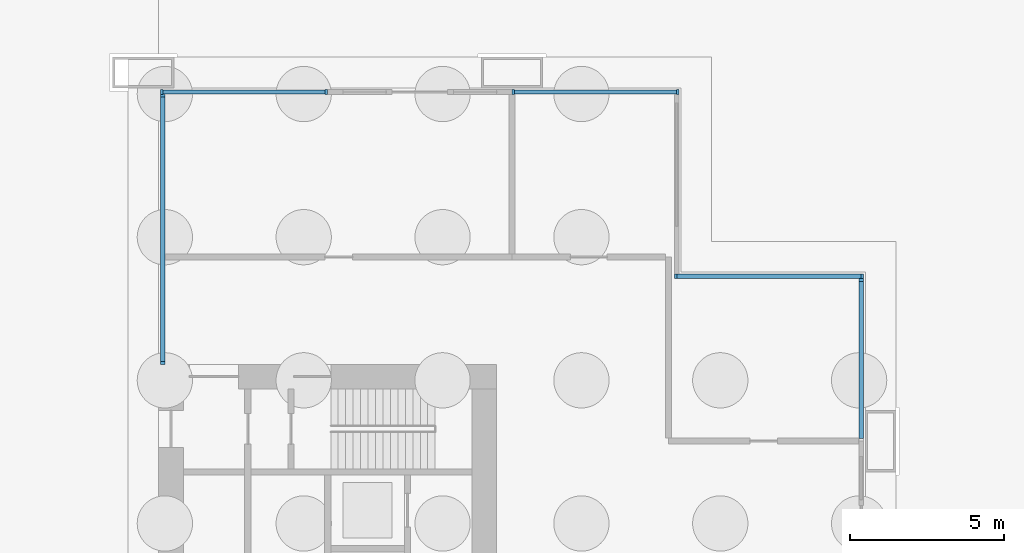
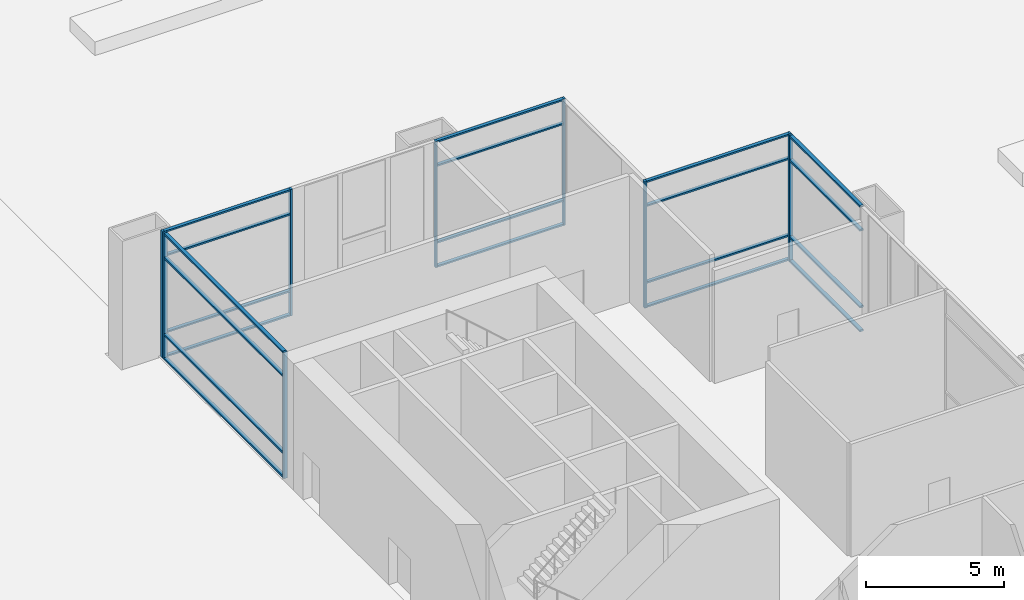
# One storey, part 14 of 29: 29 members, 5 elements without a shape of their own.
"""IFC4 building model written with IfcOpenShell, lengths in metres."""

from ifc_helpers import new_model, si_unit, direction, frame, origin, origin_2d, place, context, subcontext, project, spatial, rectangle, extrude, material, material_profile, profile_set, type_object, element, aggregate, save


model = new_model("IFC4")

# Units and contexts
model_context = context("Model", 3, precision=1e-05, world=origin(), true_north=direction((0.0, 1.0)))
body_context = subcontext(model_context, "Body", "Model", "MODEL_VIEW")
ifc_project = project(units=[si_unit("LENGTHUNIT", "METRE"), si_unit("AREAUNIT", "SQUARE_METRE"), si_unit("VOLUMEUNIT", "CUBIC_METRE"), si_unit("PLANEANGLEUNIT", "RADIAN"), si_unit("MASSUNIT", "GRAM", prefix="KILO")], contexts=[model_context])

# Site, building, storey
site_placement = place(None, origin())
site = spatial("IfcSite", under=ifc_project, at=site_placement, CompositionType="ELEMENT")
building_placement = place(site_placement, origin())
building = spatial("IfcBuilding", under=site, at=building_placement, Name="Kitamizu Gate Tower and Museum", CompositionType="ELEMENT")
storey_placement = place(building_placement, origin())
storey = spatial("IfcBuildingStorey", under=building, at=storey_placement, Name="L00", CompositionType="ELEMENT", Elevation=0.0)

# Curtain wall, members
ifc_material_1 = material(Name="Bronze anodised aluminium frame, tinted triple glazing", Category="aluminium")
curtain_wall_type_1 = type_object("IfcCurtainWallType", Name="CURTAIN WALL TYPE E PODIUM PLAZA", PredefinedType="NOTDEFINED", material=ifc_material_1)
curtain_wall_1_placement = place(storey_placement, origin())
curtain_wall_1 = element("IfcCurtainWall", 1, at=curtain_wall_1_placement, inside=storey, type_object=curtain_wall_type_1, Name="Curtain wall CW-E north L00", PredefinedType="NOTDEFINED")
ifc_material_2 = material(Name="Bronze anodised aluminium", Category="aluminium")
ifc_material_profile_1 = material_profile(ifc_material_2, rectangle(XDim=0.080078125, YDim=0.14990234375, at=origin_2d()), Name="AL 80X150")
ifc_profile_set_1 = profile_set([ifc_material_profile_1], Name="Bronze anodised aluminium")
member_type_1 = type_object("IfcMemberType", Name="MULLION 80 X 150 TYPE E", PredefinedType="MULLION", material=ifc_profile_set_1)
member_1_placement = place(storey_placement, frame((65.330078125, 41.364990234375, 0.0), z_axis=(0.0, 0.0, 1.0), x_axis=(1.0, 0.0, 0.0)))
member_1 = element("IfcMember", 2, at=member_1_placement, type_object=member_type_1, Name="CW-E mullion 1", PredefinedType="MULLION", context=body_context, shape_type="SweptSolid", body=[
    extrude(rectangle(XDim=0.080078125, YDim=0.14990234375, at=origin_2d()), origin(), (0.0, 0.0, 1.0), 5.60009765625),
])
member_2_placement = place(storey_placement, frame((71.39990234375, 41.364990234375, 0.0), z_axis=(0.0, 0.0, 1.0), x_axis=(1.0, 0.0, 0.0)))
member_2 = element("IfcMember", 3, at=member_2_placement, type_object=member_type_1, Name="CW-E mullion 2", PredefinedType="MULLION", context=body_context, shape_type="SweptSolid", body=[
    extrude(rectangle(XDim=0.080078125, YDim=0.14990234375, at=origin_2d()), origin(), (0.0, 0.0, 1.0), 5.60009765625),
])

curtain_wall_2_placement = place(storey_placement, origin())
curtain_wall_2 = element("IfcCurtainWall", 4, at=curtain_wall_2_placement, inside=storey, type_object=curtain_wall_type_1, Name="Curtain wall CW-E north L00", PredefinedType="NOTDEFINED")
member_3_placement = place(storey_placement, frame((48.60009765625, 47.364990234375, 0.0), z_axis=(0.0, 0.0, 1.0), x_axis=(1.0, 0.0, 0.0)))
member_3 = element("IfcMember", 5, at=member_3_placement, type_object=member_type_1, Name="CW-E mullion 1", PredefinedType="MULLION", context=body_context, shape_type="SweptSolid", body=[
    extrude(rectangle(XDim=0.080078125, YDim=0.14990234375, at=origin_2d()), origin(), (0.0, 0.0, 1.0), 5.60009765625),
])
member_4_placement = place(storey_placement, frame((53.9599609375, 47.364990234375, 0.0), z_axis=(0.0, 0.0, 1.0), x_axis=(1.0, 0.0, 0.0)))
member_4 = element("IfcMember", 6, at=member_4_placement, type_object=member_type_1, Name="CW-E mullion 2", PredefinedType="MULLION", context=body_context, shape_type="SweptSolid", body=[
    extrude(rectangle(XDim=0.080078125, YDim=0.14990234375, at=origin_2d()), origin(), (0.0, 0.0, 1.0), 5.60009765625),
])

curtain_wall_3_placement = place(storey_placement, origin())
curtain_wall_3 = element("IfcCurtainWall", 7, at=curtain_wall_3_placement, inside=storey, type_object=curtain_wall_type_1, Name="Curtain wall CW-E north L00", PredefinedType="NOTDEFINED")
member_5_placement = place(storey_placement, frame((60.0400390625, 47.364990234375, 0.0), z_axis=(0.0, 0.0, 1.0), x_axis=(1.0, 0.0, 0.0)))
member_5 = element("IfcMember", 8, at=member_5_placement, type_object=member_type_1, Name="CW-E mullion 1", PredefinedType="MULLION", context=body_context, shape_type="SweptSolid", body=[
    extrude(rectangle(XDim=0.080078125, YDim=0.14990234375, at=origin_2d()), origin(), (0.0, 0.0, 1.0), 5.60009765625),
])
member_6_placement = place(storey_placement, frame((65.39990234375, 47.364990234375, 0.0), z_axis=(0.0, 0.0, 1.0), x_axis=(1.0, 0.0, 0.0)))
member_6 = element("IfcMember", 9, at=member_6_placement, type_object=member_type_1, Name="CW-E mullion 2", PredefinedType="MULLION", context=body_context, shape_type="SweptSolid", body=[
    extrude(rectangle(XDim=0.080078125, YDim=0.14990234375, at=origin_2d()), origin(), (0.0, 0.0, 1.0), 5.60009765625),
])

ifc_material_3 = material(Name="Bronze anodised aluminium frame, tinted triple glazing", Category="aluminium")
curtain_wall_type_2 = type_object("IfcCurtainWallType", Name="CURTAIN WALL TYPE A PODIUM", PredefinedType="NOTDEFINED", material=ifc_material_3)
curtain_wall_4_placement = place(storey_placement, origin())
curtain_wall_4 = element("IfcCurtainWall", 10, at=curtain_wall_4_placement, inside=storey, type_object=curtain_wall_type_2, Name="Curtain wall CW-A west L00", PredefinedType="NOTDEFINED")
ifc_material_4 = material(Name="Bronze anodised aluminium", Category="aluminium")
ifc_material_profile_2 = material_profile(ifc_material_4, rectangle(XDim=0.090087890625, YDim=0.14990234375, at=origin_2d()), Name="AL 90X150")
ifc_profile_set_2 = profile_set([ifc_material_profile_2], Name="Bronze anodised aluminium")
member_type_2 = type_object("IfcMemberType", Name="MULLION 90 X 150 TYPE A", PredefinedType="MULLION", material=ifc_profile_set_2)
member_7_placement = place(storey_placement, frame((48.635009765625, 38.544921875, 0.0), z_axis=(0.0, 0.0, 1.0), x_axis=(0.0, 1.0, 0.0)))
member_7 = element("IfcMember", 11, at=member_7_placement, type_object=member_type_2, Name="CW-A mullion 1", PredefinedType="MULLION", context=body_context, shape_type="SweptSolid", body=[
    extrude(rectangle(XDim=0.090087890625, YDim=0.14990234375, at=origin_2d()), origin(), (0.0, 0.0, 1.0), 5.60009765625),
])
member_8_placement = place(storey_placement, frame((48.635009765625, 47.2451171875, 0.0), z_axis=(0.0, 0.0, 1.0), x_axis=(0.0, 1.0, 0.0)))
member_8 = element("IfcMember", 12, at=member_8_placement, type_object=member_type_2, Name="CW-A mullion 2", PredefinedType="MULLION", context=body_context, shape_type="SweptSolid", body=[
    extrude(rectangle(XDim=0.090087890625, YDim=0.14990234375, at=origin_2d()), origin(), (0.0, 0.0, 1.0), 5.60009765625),
])

# Curtain wall, member
curtain_wall_5_placement = place(storey_placement, origin())
curtain_wall_5 = element("IfcCurtainWall", 13, at=curtain_wall_5_placement, inside=storey, type_object=curtain_wall_type_2, Name="Curtain wall CW-A east L00", PredefinedType="NOTDEFINED")
member_9_placement = place(storey_placement, frame((71.364990234375, 41.2451171875, 0.0), z_axis=(0.0, 0.0, 1.0), x_axis=(0.0, 1.0, 0.0)))
member_9 = element("IfcMember", 14, at=member_9_placement, type_object=member_type_2, Name="CW-A mullion 2", PredefinedType="MULLION", context=body_context, shape_type="SweptSolid", body=[
    extrude(rectangle(XDim=0.090087890625, YDim=0.14990234375, at=origin_2d()), origin(), (0.0, 0.0, 1.0), 5.60009765625),
])

# Member
ifc_material_5 = material(Name="Bronze anodised aluminium", Category="aluminium")
ifc_material_profile_3 = material_profile(ifc_material_5, rectangle(XDim=0.139892578125, YDim=0.070068359375, at=origin_2d()), Name="AL 70X140")
ifc_profile_set_3 = profile_set([ifc_material_profile_3], Name="Bronze anodised aluminium")
member_type_3 = type_object("IfcMemberType", Name="TRANSOM 70 X 140 TYPE E", PredefinedType="USERDEFINED", material=ifc_profile_set_3)
member_10_placement = place(storey_placement, frame((65.3701171875, 41.364990234375, 0.034912109375), z_axis=(1.0, 0.0, 0.0), x_axis=(0.0, 1.0, 0.0)))
member_10 = element("IfcMember", 15, at=member_10_placement, type_object=member_type_3, Name="CW-E transom 1.1", ObjectType="TRANSOM", PredefinedType="USERDEFINED", context=body_context, shape_type="SweptSolid", body=[
    extrude(rectangle(XDim=0.139892578125, YDim=0.070068359375, at=origin_2d()), origin(), (0.0, 0.0, 1.0), 5.989990234375),
])

member_11_placement = place(storey_placement, frame((65.3701171875, 41.364990234375, 1.10009765625), z_axis=(1.0, 0.0, 0.0), x_axis=(0.0, 1.0, 0.0)))
member_11 = element("IfcMember", 16, at=member_11_placement, type_object=member_type_3, Name="CW-E transom 1.2", ObjectType="TRANSOM", PredefinedType="USERDEFINED", context=body_context, shape_type="SweptSolid", body=[
    extrude(rectangle(XDim=0.139892578125, YDim=0.070068359375, at=origin_2d()), origin(), (0.0, 0.0, 1.0), 5.989990234375),
])

member_12_placement = place(storey_placement, frame((65.3701171875, 41.364990234375, 4.5), z_axis=(1.0, 0.0, 0.0), x_axis=(0.0, 1.0, 0.0)))
member_12 = element("IfcMember", 17, at=member_12_placement, type_object=member_type_3, Name="CW-E transom 1.3", ObjectType="TRANSOM", PredefinedType="USERDEFINED", context=body_context, shape_type="SweptSolid", body=[
    extrude(rectangle(XDim=0.139892578125, YDim=0.070068359375, at=origin_2d()), origin(), (0.0, 0.0, 1.0), 5.989990234375),
])

member_13_placement = place(storey_placement, frame((65.3701171875, 41.364990234375, 5.56494140625), z_axis=(1.0, 0.0, 0.0), x_axis=(0.0, 1.0, 0.0)))
member_13 = element("IfcMember", 18, at=member_13_placement, type_object=member_type_3, Name="CW-E transom 1.4", ObjectType="TRANSOM", PredefinedType="USERDEFINED", context=body_context, shape_type="SweptSolid", body=[
    extrude(rectangle(XDim=0.139892578125, YDim=0.070068359375, at=origin_2d()), origin(), (0.0, 0.0, 1.0), 5.989990234375),
])

aggregate(curtain_wall_1, [member_1, member_2, member_10, member_11, member_12, member_13])

member_14_placement = place(storey_placement, frame((48.639892578125, 47.364990234375, 0.034912109375), z_axis=(1.0, 0.0, 0.0), x_axis=(0.0, 1.0, 0.0)))
member_14 = element("IfcMember", 19, at=member_14_placement, type_object=member_type_3, Name="CW-E transom 1.1", ObjectType="TRANSOM", PredefinedType="USERDEFINED", context=body_context, shape_type="SweptSolid", body=[
    extrude(rectangle(XDim=0.139892578125, YDim=0.070068359375, at=origin_2d()), origin(), (0.0, 0.0, 1.0), 5.280029296875),
])

member_15_placement = place(storey_placement, frame((48.639892578125, 47.364990234375, 1.10009765625), z_axis=(1.0, 0.0, 0.0), x_axis=(0.0, 1.0, 0.0)))
member_15 = element("IfcMember", 20, at=member_15_placement, type_object=member_type_3, Name="CW-E transom 1.2", ObjectType="TRANSOM", PredefinedType="USERDEFINED", context=body_context, shape_type="SweptSolid", body=[
    extrude(rectangle(XDim=0.139892578125, YDim=0.070068359375, at=origin_2d()), origin(), (0.0, 0.0, 1.0), 5.280029296875),
])

member_16_placement = place(storey_placement, frame((48.639892578125, 47.364990234375, 4.5), z_axis=(1.0, 0.0, 0.0), x_axis=(0.0, 1.0, 0.0)))
member_16 = element("IfcMember", 21, at=member_16_placement, type_object=member_type_3, Name="CW-E transom 1.3", ObjectType="TRANSOM", PredefinedType="USERDEFINED", context=body_context, shape_type="SweptSolid", body=[
    extrude(rectangle(XDim=0.139892578125, YDim=0.070068359375, at=origin_2d()), origin(), (0.0, 0.0, 1.0), 5.280029296875),
])

member_17_placement = place(storey_placement, frame((48.639892578125, 47.364990234375, 5.56494140625), z_axis=(1.0, 0.0, 0.0), x_axis=(0.0, 1.0, 0.0)))
member_17 = element("IfcMember", 22, at=member_17_placement, type_object=member_type_3, Name="CW-E transom 1.4", ObjectType="TRANSOM", PredefinedType="USERDEFINED", context=body_context, shape_type="SweptSolid", body=[
    extrude(rectangle(XDim=0.139892578125, YDim=0.070068359375, at=origin_2d()), origin(), (0.0, 0.0, 1.0), 5.280029296875),
])

aggregate(curtain_wall_2, [member_3, member_4, member_14, member_15, member_16, member_17])

member_18_placement = place(storey_placement, frame((60.080078125, 47.364990234375, 0.034912109375), z_axis=(1.0, 0.0, 0.0), x_axis=(0.0, 1.0, 0.0)))
member_18 = element("IfcMember", 23, at=member_18_placement, type_object=member_type_3, Name="CW-E transom 1.1", ObjectType="TRANSOM", PredefinedType="USERDEFINED", context=body_context, shape_type="SweptSolid", body=[
    extrude(rectangle(XDim=0.139892578125, YDim=0.070068359375, at=origin_2d()), origin(), (0.0, 0.0, 1.0), 5.280029296875),
])

member_19_placement = place(storey_placement, frame((60.080078125, 47.364990234375, 1.10009765625), z_axis=(1.0, 0.0, 0.0), x_axis=(0.0, 1.0, 0.0)))
member_19 = element("IfcMember", 24, at=member_19_placement, type_object=member_type_3, Name="CW-E transom 1.2", ObjectType="TRANSOM", PredefinedType="USERDEFINED", context=body_context, shape_type="SweptSolid", body=[
    extrude(rectangle(XDim=0.139892578125, YDim=0.070068359375, at=origin_2d()), origin(), (0.0, 0.0, 1.0), 5.280029296875),
])

member_20_placement = place(storey_placement, frame((60.080078125, 47.364990234375, 4.5), z_axis=(1.0, 0.0, 0.0), x_axis=(0.0, 1.0, 0.0)))
member_20 = element("IfcMember", 25, at=member_20_placement, type_object=member_type_3, Name="CW-E transom 1.3", ObjectType="TRANSOM", PredefinedType="USERDEFINED", context=body_context, shape_type="SweptSolid", body=[
    extrude(rectangle(XDim=0.139892578125, YDim=0.070068359375, at=origin_2d()), origin(), (0.0, 0.0, 1.0), 5.280029296875),
])

member_21_placement = place(storey_placement, frame((60.080078125, 47.364990234375, 5.56494140625), z_axis=(1.0, 0.0, 0.0), x_axis=(0.0, 1.0, 0.0)))
member_21 = element("IfcMember", 26, at=member_21_placement, type_object=member_type_3, Name="CW-E transom 1.4", ObjectType="TRANSOM", PredefinedType="USERDEFINED", context=body_context, shape_type="SweptSolid", body=[
    extrude(rectangle(XDim=0.139892578125, YDim=0.070068359375, at=origin_2d()), origin(), (0.0, 0.0, 1.0), 5.280029296875),
])

aggregate(curtain_wall_3, [member_5, member_6, member_18, member_19, member_20, member_21])

ifc_material_6 = material(Name="Bronze anodised aluminium", Category="aluminium")
ifc_material_profile_4 = material_profile(ifc_material_6, rectangle(XDim=0.14990234375, YDim=0.080078125, at=origin_2d()), Name="AL 80X150")
ifc_profile_set_4 = profile_set([ifc_material_profile_4], Name="Bronze anodised aluminium")
member_type_4 = type_object("IfcMemberType", Name="TRANSOM 80 X 150 TYPE A", PredefinedType="USERDEFINED", material=ifc_profile_set_4)
member_22_placement = place(storey_placement, frame((48.635009765625, 38.590087890625, 0.0400390625), z_axis=(0.0, 1.0, 0.0), x_axis=(-1.0, 0.0, 0.0)))
member_22 = element("IfcMember", 27, at=member_22_placement, type_object=member_type_4, Name="CW-A transom 1.1", ObjectType="TRANSOM", PredefinedType="USERDEFINED", context=body_context, shape_type="SweptSolid", body=[
    extrude(rectangle(XDim=0.14990234375, YDim=0.080078125, at=origin_2d()), origin(), (0.0, 0.0, 1.0), 8.60986328125),
])

member_23_placement = place(storey_placement, frame((48.635009765625, 38.590087890625, 1.10009765625), z_axis=(0.0, 1.0, 0.0), x_axis=(-1.0, 0.0, 0.0)))
member_23 = element("IfcMember", 28, at=member_23_placement, type_object=member_type_4, Name="CW-A transom 1.2", ObjectType="TRANSOM", PredefinedType="USERDEFINED", context=body_context, shape_type="SweptSolid", body=[
    extrude(rectangle(XDim=0.14990234375, YDim=0.080078125, at=origin_2d()), origin(), (0.0, 0.0, 1.0), 8.60986328125),
])

member_24_placement = place(storey_placement, frame((48.635009765625, 38.590087890625, 4.5), z_axis=(0.0, 1.0, 0.0), x_axis=(-1.0, 0.0, 0.0)))
member_24 = element("IfcMember", 29, at=member_24_placement, type_object=member_type_4, Name="CW-A transom 1.3", ObjectType="TRANSOM", PredefinedType="USERDEFINED", context=body_context, shape_type="SweptSolid", body=[
    extrude(rectangle(XDim=0.14990234375, YDim=0.080078125, at=origin_2d()), origin(), (0.0, 0.0, 1.0), 8.60986328125),
])

member_25_placement = place(storey_placement, frame((48.635009765625, 38.590087890625, 5.56005859375), z_axis=(0.0, 1.0, 0.0), x_axis=(-1.0, 0.0, 0.0)))
member_25 = element("IfcMember", 30, at=member_25_placement, type_object=member_type_4, Name="CW-A transom 1.4", ObjectType="TRANSOM", PredefinedType="USERDEFINED", context=body_context, shape_type="SweptSolid", body=[
    extrude(rectangle(XDim=0.14990234375, YDim=0.080078125, at=origin_2d()), origin(), (0.0, 0.0, 1.0), 8.60986328125),
])

aggregate(curtain_wall_4, [member_7, member_8, member_22, member_23, member_24, member_25])

member_26_placement = place(storey_placement, frame((71.364990234375, 36.090087890625, 0.0400390625), z_axis=(0.0, 1.0, 0.0), x_axis=(-1.0, 0.0, 0.0)))
member_26 = element("IfcMember", 31, at=member_26_placement, type_object=member_type_4, Name="CW-A transom 1.1", ObjectType="TRANSOM", PredefinedType="USERDEFINED", context=body_context, shape_type="SweptSolid", body=[
    extrude(rectangle(XDim=0.14990234375, YDim=0.080078125, at=origin_2d()), origin(), (0.0, 0.0, 1.0), 5.10986328125),
])

member_27_placement = place(storey_placement, frame((71.364990234375, 36.090087890625, 1.10009765625), z_axis=(0.0, 1.0, 0.0), x_axis=(-1.0, 0.0, 0.0)))
member_27 = element("IfcMember", 32, at=member_27_placement, type_object=member_type_4, Name="CW-A transom 1.2", ObjectType="TRANSOM", PredefinedType="USERDEFINED", context=body_context, shape_type="SweptSolid", body=[
    extrude(rectangle(XDim=0.14990234375, YDim=0.080078125, at=origin_2d()), origin(), (0.0, 0.0, 1.0), 5.10986328125),
])

member_28_placement = place(storey_placement, frame((71.364990234375, 36.090087890625, 4.5), z_axis=(0.0, 1.0, 0.0), x_axis=(-1.0, 0.0, 0.0)))
member_28 = element("IfcMember", 33, at=member_28_placement, type_object=member_type_4, Name="CW-A transom 1.3", ObjectType="TRANSOM", PredefinedType="USERDEFINED", context=body_context, shape_type="SweptSolid", body=[
    extrude(rectangle(XDim=0.14990234375, YDim=0.080078125, at=origin_2d()), origin(), (0.0, 0.0, 1.0), 5.10986328125),
])

member_29_placement = place(storey_placement, frame((71.364990234375, 36.090087890625, 5.56005859375), z_axis=(0.0, 1.0, 0.0), x_axis=(-1.0, 0.0, 0.0)))
member_29 = element("IfcMember", 34, at=member_29_placement, type_object=member_type_4, Name="CW-A transom 1.4", ObjectType="TRANSOM", PredefinedType="USERDEFINED", context=body_context, shape_type="SweptSolid", body=[
    extrude(rectangle(XDim=0.14990234375, YDim=0.080078125, at=origin_2d()), origin(), (0.0, 0.0, 1.0), 5.10986328125),
])

aggregate(curtain_wall_5, [member_9, member_26, member_27, member_28, member_29])

save(model, "model.ifc")
